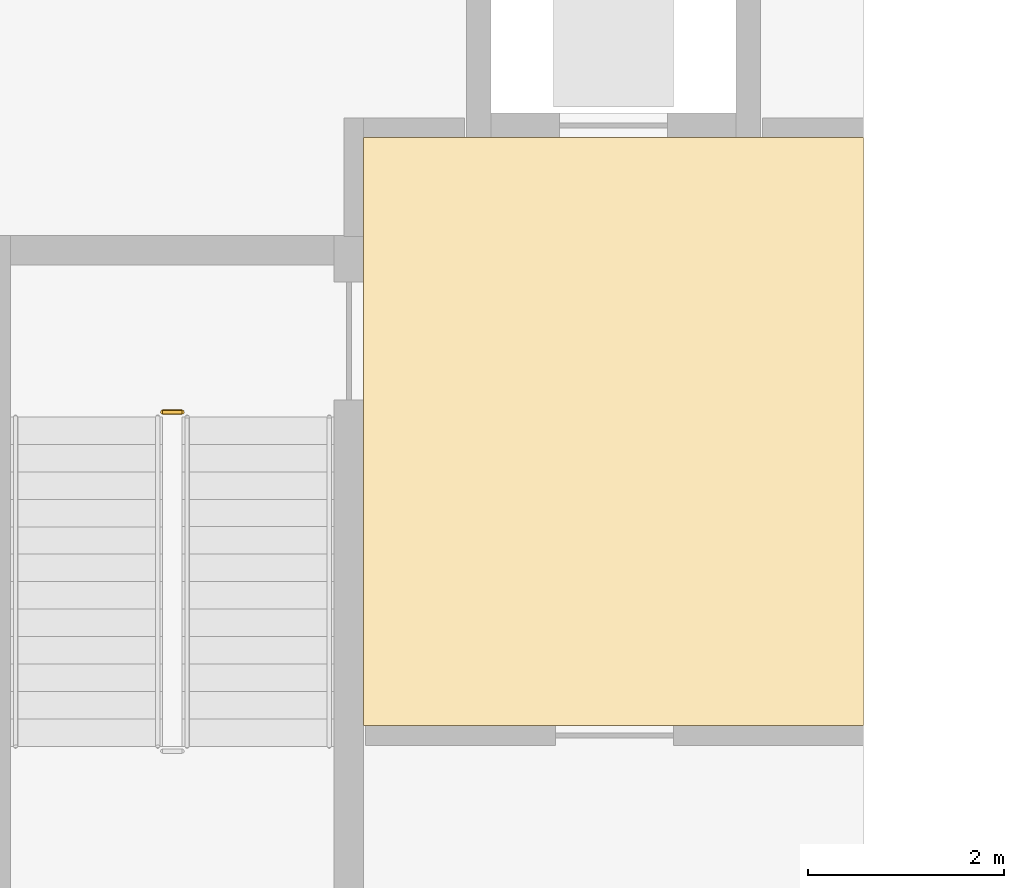
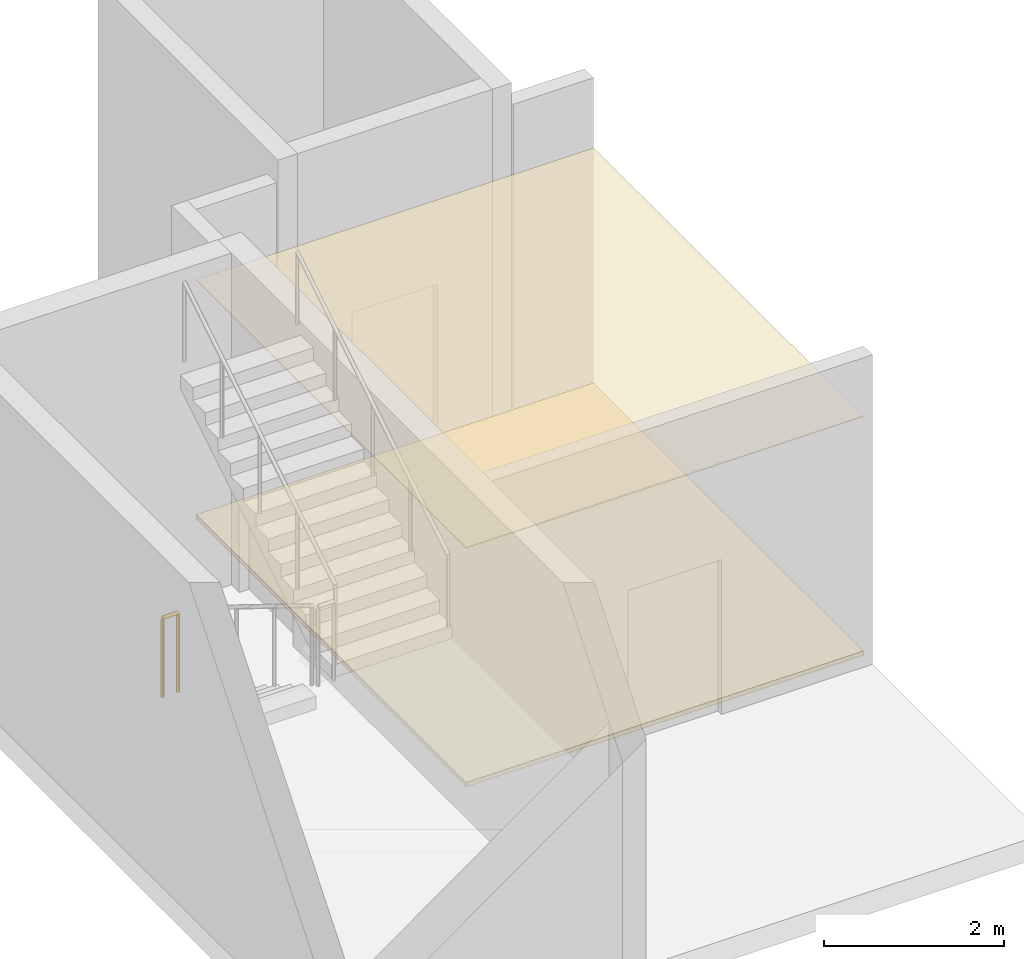
# One storey, part 5 of 7: 2 coverings, 1 railing.
"""IFC4 building model written with IfcOpenShell, lengths in metres."""

from ifc_helpers import new_model, si_unit, direction, frame, origin, origin_2d, place, context, subcontext, project, spatial, polyline, circle, outline, extrude, material, layer, layer_set, type_object, element, save


model = new_model("IFC4")

# Units and contexts
model_context = context("Model", 3, precision=1e-05, world=origin(), true_north=direction((0.0, 1.0)))
body_context = subcontext(model_context, "Body", "Model", "MODEL_VIEW")
ifc_project = project(units=[si_unit("LENGTHUNIT", "METRE"), si_unit("AREAUNIT", "SQUARE_METRE"), si_unit("VOLUMEUNIT", "CUBIC_METRE"), si_unit("PLANEANGLEUNIT", "RADIAN"), si_unit("MASSUNIT", "GRAM", prefix="KILO")], contexts=[model_context])

# Site, building, storey
site_placement = place(None, origin())
site = spatial("IfcSite", under=ifc_project, at=site_placement, CompositionType="ELEMENT")
building_placement = place(site_placement, origin())
building = spatial("IfcBuilding", under=site, at=building_placement, Name="Lunette Opera House", CompositionType="ELEMENT")
storey_placement = place(building_placement, frame((0.0, 0.0, -10.5)))
storey = spatial("IfcBuildingStorey", under=building, at=storey_placement, Name="B2", CompositionType="ELEMENT", Elevation=-10.5)

# Railing
ifc_material_1 = material(Name="Steel S355", Category="steel")
railing_type = type_object("IfcRailingType", Name="STAIR GUARD 1100", PredefinedType="GUARDRAIL", material=ifc_material_1)
railing_placement = place(storey_placement, frame((75.85009765625, 128.199951171875, 0.0)))
element("IfcRailing", 1, at=railing_placement, inside=storey, type_object=railing_type, Name="B2 ST11 stair guard 4", PredefinedType="GUARDRAIL", context=body_context, shape_type="SweptSolid", body=[
    extrude(circle(Radius=0.02392578125, at=origin_2d()), frame((0.0, 0.0, 1.076171875), z_axis=(1.0, 0.0, 0.0), x_axis=(0.0, 1.0, 0.0)), (0.0, 0.0, 1.0), 0.199951171875),
    extrude(circle(Radius=0.02099609375, at=origin_2d()), origin(), (0.0, 0.0, 1.0), 1.052001953125),
    extrude(circle(Radius=0.02099609375, at=origin_2d()), frame((0.199951171875, 0.0, 0.0)), (0.0, 0.0, 1.0), 1.052001953125),
])

# Coverings
ifc_material_2 = material(Name="Mineral fibre board")
ifc_layer_1 = layer(ifc_material_2, 0.014892578125)
ifc_layer_set_1 = layer_set([ifc_layer_1], Name="Mineral fibre board")
covering_type_1 = type_object("IfcCoveringType", Name="SUSPENDED ACOUSTIC CEILING 15", PredefinedType="CEILING", material=ifc_layer_set_1)
covering_1_placement = place(storey_placement, frame((0.0, 0.0, 3.235107421875)))
element("IfcCovering", 2, at=covering_1_placement, inside=storey, type_object=covering_type_1, Name="Ceiling Lift Lobby B2 Stage Tower", PredefinedType="CEILING", context=body_context, shape_type="SweptSolid", body=[
    extrude(outline(polyline([(83.0, 125.0), (83.0, 131.0), (77.89990234375, 131.0), (77.89990234375, 125.0), (83.0, 125.0)])), origin(), (0.0, 0.0, 1.0), 0.014892578125),
])
ifc_material_3 = material(Name="Terrazzo")
ifc_layer_2 = layer(ifc_material_3, 0.06005859375)
ifc_layer_set_2 = layer_set([ifc_layer_2], Name="Terrazzo")
covering_type_2 = type_object("IfcCoveringType", Name="TERRAZZO FLOOR FINISH 60", PredefinedType="FLOORING", material=ifc_layer_set_2)
covering_2_placement = place(storey_placement, origin())
element("IfcCovering", 3, at=covering_2_placement, inside=storey, type_object=covering_type_2, Name="Floor finish Lift Lobby B2 Stage Tower", PredefinedType="FLOORING", context=body_context, shape_type="SweptSolid", body=[
    extrude(outline(polyline([(83.0, 125.0), (83.0, 131.0), (77.89990234375, 131.0), (77.89990234375, 125.0), (83.0, 125.0)])), origin(), (0.0, 0.0, 1.0), 0.06005859375),
])

save(model, "model.ifc")
